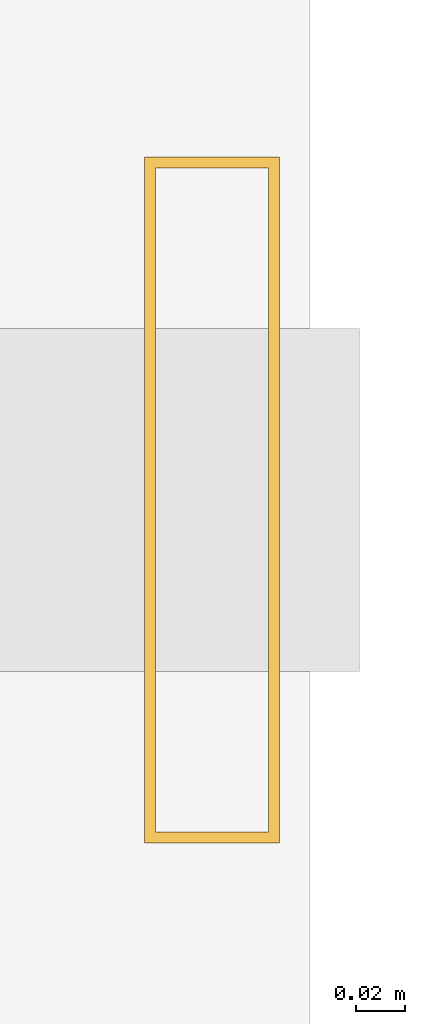
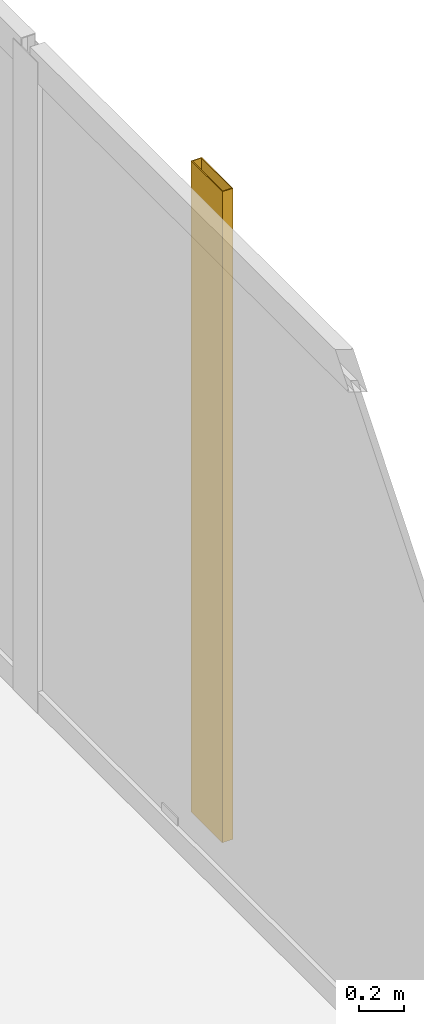
# One storey, part 24 of 24: 1 shading device.
"""IFC4 building model written with IfcOpenShell, lengths in metres."""

from ifc_helpers import new_model, si_unit, direction, frame, origin, origin_2d, place, context, subcontext, project, spatial, hollow_rectangle, extrude, material, material_profile, profile_set, type_object, element, save


model = new_model("IFC4")

# Units and contexts
model_context = context("Model", 3, precision=1e-05, world=origin(), true_north=direction((0.0, 1.0)))
body_context = subcontext(model_context, "Body", "Model", "MODEL_VIEW")
ifc_project = project(units=[si_unit("LENGTHUNIT", "METRE"), si_unit("AREAUNIT", "SQUARE_METRE"), si_unit("VOLUMEUNIT", "CUBIC_METRE"), si_unit("PLANEANGLEUNIT", "RADIAN"), si_unit("MASSUNIT", "GRAM", prefix="KILO")], contexts=[model_context])

# Site, building, storey
site_placement = place(None, origin())
site = spatial("IfcSite", under=ifc_project, at=site_placement, CompositionType="ELEMENT")
building_placement = place(site_placement, origin())
building = spatial("IfcBuilding", under=site, at=building_placement, Name="Kolvaren Waterfront Exchange", CompositionType="ELEMENT")
storey_placement = place(building_placement, frame((0.0, 0.0, 331.199951171875)))
storey = spatial("IfcBuildingStorey", under=building, at=storey_placement, Name="L85", CompositionType="ELEMENT", Elevation=331.199951171875)

# Shading device
ifc_material = material(Name="Anodised bronze aluminium 6063-T6", Category="aluminium")
ifc_material_profile = material_profile(ifc_material, hollow_rectangle(XDim=0.054931640625, YDim=0.280029296875, WallThickness=0.00439453125, at=origin_2d()), Name="BRZ-FIN-280x55x4.5")
ifc_profile_set = profile_set([ifc_material_profile], Name="Anodised bronze aluminium 6063-T6")
shading_device_type = type_object("IfcShadingDeviceType", Name="ARC-FIN-280", PredefinedType="USERDEFINED", material=ifc_profile_set)
shading_device_placement = place(storey_placement, frame((21.17041015625, 38.0, 0.0), z_axis=(0.0, 0.0, 1.0), x_axis=(1.0, 0.0, 0.0)))
element("IfcShadingDevice", 1, at=shading_device_placement, inside=storey, type_object=shading_device_type, Name="L85 anodised bronze solar shading fin FIN-L85-E3", ObjectType="SOLAR FIN", PredefinedType="USERDEFINED", context=body_context, shape_type="SweptSolid", body=[
    extrude(hollow_rectangle(XDim=0.054931640625, YDim=0.280029296875, WallThickness=0.00439453125, at=origin_2d()), origin(), (0.0, 0.0, 1.0), 3.56005859375),
])

save(model, "model.ifc")
